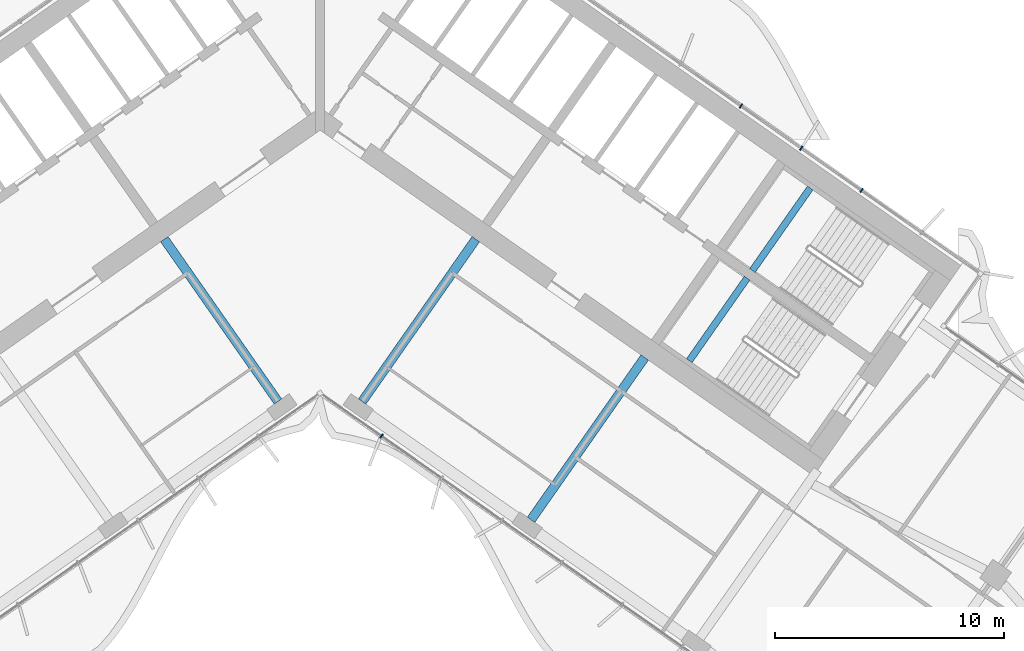
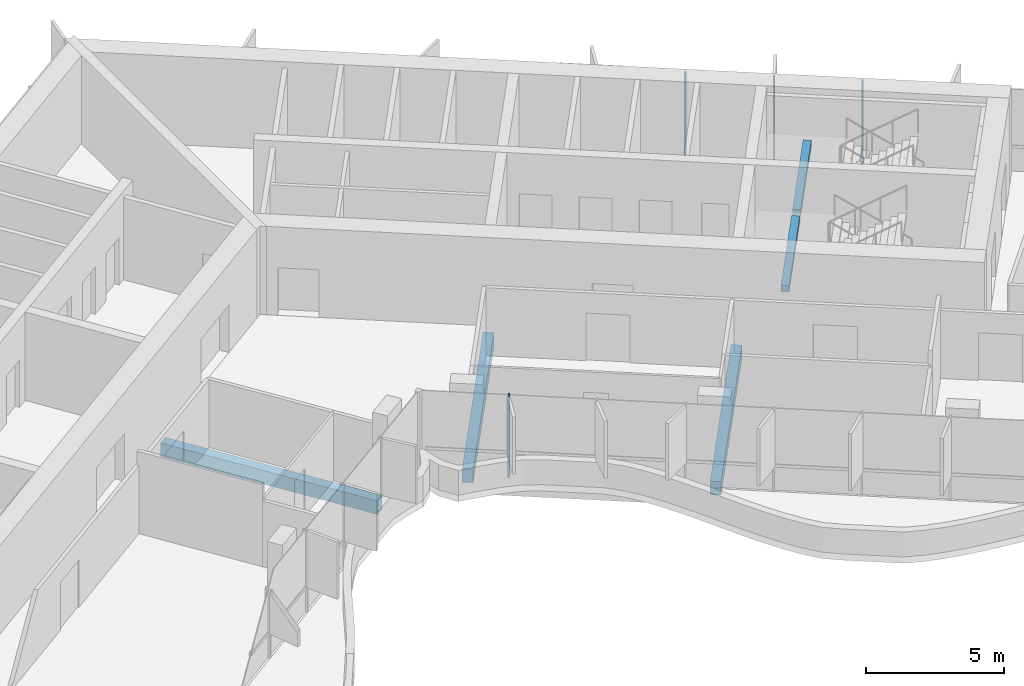
# One storey, part 7 of 23: 5 beams, 4 members, 2 elements without a shape of their own.
"""IFC4 building model written with IfcOpenShell, lengths in metres."""

import ifcopenshell
import ifcopenshell.guid

model = None  # the IFC model being written
_history = None  # IfcOwnerHistory: only IFC2X3 demands one
_inside = {}  # id of a spatial element -> (the spatial element, [elements in it])
_under = {}  # id of a project, library or spatial element -> (it, [spatial elements below it])
_declared = {}  # id of a project -> (the project, [libraries it declares])
_typed = {}  # id of a type object -> (the type object, [elements of that type])
_made_of = {}  # id of a material, layer set ... -> (it, [elements and type objects made of it])


def new_model(schema):
    """Start an empty IFC model of exactly this schema.

    Asked for "IFC4X3", IfcOpenShell would pick the latest addendum, in which some entities
    have other attributes; the version numbers below select the first issue.
    IFC2X3 requires an IfcOwnerHistory on every rooted entity: one is made here for all.
    """
    global model, _history
    if schema == "IFC4X3":
        model = ifcopenshell.file(schema_version=(4, 3, 0, 0))
    else:
        model = ifcopenshell.file(schema=schema)
    _inside.clear()
    _under.clear()
    _declared.clear()
    _typed.clear()
    _made_of.clear()
    _history = None
    if model.schema == "IFC2X3":
        org = make("IfcOrganization", Name="unknown")
        user = make(
            "IfcPersonAndOrganization",
            ThePerson=make("IfcPerson", FamilyName="unknown"),
            TheOrganization=org,
        )
        app = make(
            "IfcApplication",
            ApplicationDeveloper=org,
            Version="unknown",
            ApplicationFullName="unknown",
            ApplicationIdentifier="unknown",
        )
        _history = make(
            "IfcOwnerHistory",
            OwningUser=user,
            OwningApplication=app,
            ChangeAction="ADDED",
            CreationDate=0,
        )
    return model


def make(cls, **values):
    """One entity of the class cls with the attributes given. An attribute that is None is left unset."""
    return model.create_entity(
        cls, **{name: value for name, value in values.items() if value is not None}
    )


def rooted(cls, **values):
    """An entity with a GlobalId (a new one), such as an element, a storey or a relation."""
    return make(cls, GlobalId=ifcopenshell.guid.new(), OwnerHistory=_history, **values)


def si_unit(unit_type, name, prefix=None):
    """IfcSIUnit, for example si_unit("LENGTHUNIT", "METRE", prefix="MILLI")."""
    return make("IfcSIUnit", UnitType=unit_type, Prefix=prefix, Name=name)


def assignment(units):
    """IfcUnitAssignment: the units of a project."""
    return None if units is None else make("IfcUnitAssignment", Units=units)


def point(xyz):
    """IfcCartesianPoint."""
    return None if xyz is None else make("IfcCartesianPoint", Coordinates=xyz)


def direction(xyz):
    """IfcDirection."""
    return None if xyz is None else make("IfcDirection", DirectionRatios=xyz)


def frame(location, z_axis=None, x_axis=None):
    """IfcAxis2Placement3D, a coordinate frame: its origin and axes. An axis left out is left unset."""
    return make(
        "IfcAxis2Placement3D",
        Location=point(location),
        Axis=direction(z_axis),
        RefDirection=direction(x_axis),
    )


def frame_2d(location, x_axis=None):
    """IfcAxis2Placement2D, a coordinate frame in the plane: its origin and x axis."""
    return make(
        "IfcAxis2Placement2D", Location=point(location), RefDirection=direction(x_axis)
    )


def origin():
    """The frame at (0, 0, 0) with its axes left unset."""
    return frame((0.0, 0.0, 0.0))


def origin_2d():
    """The frame at (0, 0) in the plane with its x axis left unset."""
    return frame_2d((0.0, 0.0))


def place(relative_to, where):
    """IfcLocalPlacement: puts the frame where relative to a parent placement (None: the world)."""
    return make(
        "IfcLocalPlacement", PlacementRelTo=relative_to, RelativePlacement=where
    )


def context(
    kind, dimensions, precision=None, world=None, true_north=None, identifier=None
):
    """IfcGeometricRepresentationContext, for example the 3D "Model" context."""
    return make(
        "IfcGeometricRepresentationContext",
        ContextIdentifier=identifier,
        ContextType=kind,
        CoordinateSpaceDimension=dimensions,
        Precision=precision,
        WorldCoordinateSystem=world,
        TrueNorth=true_north,
    )


def subcontext(parent, identifier, kind, view, scale=None):
    """IfcGeometricRepresentationSubContext, for example "Body" below "Model"."""
    return make(
        "IfcGeometricRepresentationSubContext",
        ContextIdentifier=identifier,
        ContextType=kind,
        ParentContext=parent,
        TargetScale=scale,
        TargetView=view,
    )


def project(units=None, contexts=None):
    """IfcProject with its units and contexts."""
    return rooted(
        "IfcProject",
        Name="project",
        RepresentationContexts=contexts,
        UnitsInContext=assignment(units),
    )


def spatial(cls, under=None, at=None, **own):
    """A site, building, storey or space (cls), placed at a placement, below another one or the project."""
    s = rooted(cls, ObjectPlacement=at, **own)
    if under is not None:
        _under.setdefault(under.id(), (under, []))[1].append(s)
    return s


def profile(cls, at=None, kind="AREA", **sizes):
    """A parametric profile (cls). Its sizes go by their IFC names, for example OverallWidth=200.0."""
    return make(cls, ProfileType=kind, Position=at, **sizes)


def rectangle(**sizes):
    """IfcRectangleProfileDef."""
    return profile("IfcRectangleProfileDef", **sizes)


def extrude(swept, where, along, depth):
    """IfcExtrudedAreaSolid: the profile swept, set in the frame where, extruded along a direction by depth."""
    return make(
        "IfcExtrudedAreaSolid",
        SweptArea=swept,
        Position=where,
        ExtrudedDirection=direction(along),
        Depth=depth,
    )


def shape(context_of_items, identifier, shape_type, items):
    """IfcShapeRepresentation: the items that make up one representation, for example the "Body"."""
    return make(
        "IfcShapeRepresentation",
        ContextOfItems=context_of_items,
        RepresentationIdentifier=identifier,
        RepresentationType=shape_type,
        Items=items,
    )


def material(Name=None, Category=None):
    """IfcMaterial."""
    return make("IfcMaterial", Name=Name, Category=Category)


def material_profile(
    of_material, cross_section, Name=None, Category=None, Priority=None
):
    """IfcMaterialProfile: a cross section and its material."""
    return make(
        "IfcMaterialProfile",
        Name=Name,
        Material=of_material,
        Profile=cross_section,
        Priority=Priority,
        Category=Category,
    )


def profile_set(profiles, Name=None, composite=None):
    """IfcMaterialProfileSet."""
    return make(
        "IfcMaterialProfileSet",
        Name=Name,
        MaterialProfiles=profiles,
        CompositeProfile=composite,
    )


def made_of(thing, what):
    """Note that an element or type object is made of a material, layer set ...; save() writes the relation."""
    if what is not None:
        _made_of.setdefault(what.id(), (what, []))[1].append(thing)
    return thing


def type_object(cls, material=None, **own):
    """A type object (cls), such as IfcWallType, which elements share."""
    return made_of(rooted(cls, **own), material)


def element(
    cls,
    number,
    at=None,
    inside=None,
    cuts=None,
    type_object=None,
    material=None,
    context=None,
    identifier="Body",
    shape_type=None,
    held_by="IfcProductDefinitionShape",
    body=None,
    shapes=None,
    **own,
):
    """One element of the class cls, such as IfcWall. Its Tag is "e" and its number.

    at: its placement. inside: the storey or other place that contains it. cuts: it is an
    opening in that element (IfcRelVoidsElement). A single representation is given by context,
    identifier, shape_type and body (its items); several are given by shapes. held_by: the class
    of the entity that holds the representations. save() writes the other relations.
    """
    e = rooted(cls, Tag="e%d" % number, ObjectPlacement=at, **own)
    if body is not None:
        shapes = [shape(context, identifier, shape_type, body)]
    if shapes is not None:
        e.Representation = make(held_by, Representations=shapes)
    if inside is not None:
        _inside.setdefault(inside.id(), (inside, []))[1].append(e)
    if cuts is not None:
        rooted(
            "IfcRelVoidsElement", RelatingBuildingElement=cuts, RelatedOpeningElement=e
        )
    if type_object is not None:
        _typed.setdefault(type_object.id(), (type_object, []))[1].append(e)
    return made_of(e, material)


def aggregate(whole, parts):
    """IfcRelAggregates: a whole, such as a stair, and the parts it consists of."""
    return rooted("IfcRelAggregates", RelatingObject=whole, RelatedObjects=parts)


def save(model, path):
    """Write the relations noted so far, then the file.

    IfcRelAggregates (storeys below a building ...), IfcRelContainedInSpatialStructure (elements
    in a storey), IfcRelDefinesByType, IfcRelAssociatesMaterial and IfcRelDeclares: one each for
    every whole, place, type object, material and project.
    """
    for whole, parts in _under.values():
        aggregate(whole, parts)
    for where, things in _inside.values():
        rooted(
            "IfcRelContainedInSpatialStructure",
            RelatedElements=things,
            RelatingStructure=where,
        )
    for kind, things in _typed.values():
        rooted("IfcRelDefinesByType", RelatedObjects=things, RelatingType=kind)
    for what, things in _made_of.values():
        rooted("IfcRelAssociatesMaterial", RelatedObjects=things, RelatingMaterial=what)
    for by, libraries in _declared.values():
        rooted("IfcRelDeclares", RelatingContext=by, RelatedDefinitions=libraries)
    model.write(path)


model = new_model("IFC4")

# Units and contexts
model_context = context("Model", 3, precision=1e-05, world=origin(), true_north=direction((0.0, 1.0)))
body_context = subcontext(model_context, "Body", "Model", "MODEL_VIEW")
ifc_project = project(units=[si_unit("LENGTHUNIT", "METRE"), si_unit("AREAUNIT", "SQUARE_METRE"), si_unit("VOLUMEUNIT", "CUBIC_METRE"), si_unit("PLANEANGLEUNIT", "RADIAN"), si_unit("MASSUNIT", "GRAM", prefix="KILO")], contexts=[model_context])

# Site, building, storey
site_placement = place(None, origin())
site = spatial("IfcSite", under=ifc_project, at=site_placement, CompositionType="ELEMENT")
building_placement = place(site_placement, origin())
building = spatial("IfcBuilding", under=site, at=building_placement, Name="Tel Ilan Convention Tower", CompositionType="ELEMENT")
storey_placement = place(building_placement, frame((0.0, 0.0, 178.800048828125)))
storey = spatial("IfcBuildingStorey", under=building, at=storey_placement, Name="L41", CompositionType="ELEMENT", Elevation=178.800048828125)

# Beams
ifc_material_1 = material(Name="Concrete C40/50", Category="concrete")
ifc_material_profile_1 = material_profile(ifc_material_1, rectangle(XDim=0.39990234375, YDim=0.60009765625, at=origin_2d()), Name="RC 400x600")
ifc_profile_set_1 = profile_set([ifc_material_profile_1], Name="Concrete C40/50")
beam_type_1 = type_object("IfcBeamType", Name="Beam RC 400x600 Concrete C40/50", PredefinedType="BEAM", material=ifc_profile_set_1)
for number, where, z_axis, x_axis, name in (
    (1, (-1.83740234375, -13.06689453125, -0.580078125), (-0.573574099654, 0.819153680457, 0.0), (-0.819153680457, -0.573574099654, 0.0), "L41 beam W-W-F1-core"),
    (2, (1.83740234375, -13.06689453125, -0.580078125), (0.573574099654, 0.819153680457, 0.0), (-0.819153680457, 0.573574099654, 0.0), "L41 beam E-E-F1-core"),
    (3, (9.209716796875, -18.229248046875, -0.580078125), (0.573574099654, 0.819153680457, 0.0), (-0.819153680457, 0.573574099654, 0.0), "L41 beam E-E-F2-core"),
):
    element("IfcBeam", number, at=place(storey_placement, frame(where, z_axis=z_axis, x_axis=x_axis)), inside=storey, type_object=beam_type_1, Name=name, PredefinedType="BEAM", context=body_context, shape_type="SweptSolid", body=[
        extrude(rectangle(XDim=0.39990234375, YDim=0.60009765625, at=origin_2d()), origin(), (0.0, 0.0, 1.0), 8.64990234375),
    ])

# Curtain wall, members
ifc_material_2 = material(Name="Aluminium, bronze anodised", Category="aluminium")
curtain_wall_type_1 = type_object("IfcCurtainWallType", Name="CW2 STICK CURTAIN WALL, SPANDREL PANELS", PredefinedType="NOTDEFINED", material=ifc_material_2)
curtain_wall_1_placement = place(storey_placement, origin())
curtain_wall_1 = element("IfcCurtainWall", 4, at=curtain_wall_1_placement, inside=storey, type_object=curtain_wall_type_1, Name="Curtain wall CW2-31.01", PredefinedType="NOTDEFINED")
ifc_material_3 = material(Name="Aluminium, bronze anodised", Category="aluminium")
ifc_material_profile_2 = material_profile(ifc_material_3, rectangle(XDim=0.06005859375, YDim=0.199951171875, at=origin_2d()), Name="CW MULLION 60x200")
ifc_profile_set_2 = profile_set([ifc_material_profile_2], Name="Aluminium, bronze anodised")
member_type = type_object("IfcMemberType", Name="CW MULLION 60x200", PredefinedType="MULLION", material=ifc_profile_set_2)
member_1_placement = place(storey_placement, frame((23.63623046875, -3.854248046875, 0.0), z_axis=(0.0, 0.0, 1.0), x_axis=(-0.819152044289, 0.573576436351, 0.0)))
member_1 = element("IfcMember", 5, at=member_1_placement, type_object=member_type, Name="Mullion", PredefinedType="MULLION", context=body_context, shape_type="SweptSolid", body=[
    extrude(rectangle(XDim=0.06005859375, YDim=0.199951171875, at=origin_2d()), origin(), (0.0, 0.0, 1.0), 3.619873046875),
])
member_2_placement = place(storey_placement, frame((21.003662109375, -2.0107421875, 0.0), z_axis=(0.0, 0.0, 1.0), x_axis=(-0.819152044289, 0.573576436351, 0.0)))
member_2 = element("IfcMember", 6, at=member_2_placement, type_object=member_type, Name="Mullion", PredefinedType="MULLION", context=body_context, shape_type="SweptSolid", body=[
    extrude(rectangle(XDim=0.06005859375, YDim=0.199951171875, at=origin_2d()), origin(), (0.0, 0.0, 1.0), 3.619873046875),
])
member_3_placement = place(storey_placement, frame((18.37109375, -0.16748046875, 0.0), z_axis=(0.0, 0.0, 1.0), x_axis=(-0.819152044289, 0.573576436351, 0.0)))
member_3 = element("IfcMember", 7, at=member_3_placement, type_object=member_type, Name="Mullion", PredefinedType="MULLION", context=body_context, shape_type="SweptSolid", body=[
    extrude(rectangle(XDim=0.06005859375, YDim=0.199951171875, at=origin_2d()), origin(), (0.0, 0.0, 1.0), 3.619873046875),
])
aggregate(curtain_wall_1, [member_1, member_2, member_3])

# Curtain wall, member
ifc_material_4 = material(Name="Aluminium, bronze anodised", Category="aluminium")
curtain_wall_type_2 = type_object("IfcCurtainWallType", Name="CW4 STICK CURTAIN WALL, OFFICE TINTED GLASS", PredefinedType="NOTDEFINED", material=ifc_material_4)
curtain_wall_2_placement = place(storey_placement, origin())
curtain_wall_2 = element("IfcCurtainWall", 8, at=curtain_wall_2_placement, inside=storey, type_object=curtain_wall_type_2, Name="Curtain wall CW4-31.02", PredefinedType="NOTDEFINED")
member_4_placement = place(storey_placement, frame((2.6826171875, -14.574462890625, 0.0), z_axis=(0.0, 0.0, 1.0), x_axis=(0.819152044289, -0.573576436351, 0.0)))
member_4 = element("IfcMember", 9, at=member_4_placement, type_object=member_type, Name="Mullion", PredefinedType="MULLION", context=body_context, shape_type="SweptSolid", body=[
    extrude(rectangle(XDim=0.06005859375, YDim=0.199951171875, at=origin_2d()), origin(), (0.0, 0.0, 1.0), 3.619873046875),
])
aggregate(curtain_wall_2, [member_4])

# Beams
ifc_material_5 = material(Name="Concrete C40/50", Category="concrete")
ifc_material_profile_3 = material_profile(ifc_material_5, rectangle(XDim=0.300048828125, YDim=0.300048828125, at=origin_2d()), Name="RC 300x300")
ifc_profile_set_3 = profile_set([ifc_material_profile_3], Name="Concrete C40/50")
beam_type_2 = type_object("IfcBeamType", Name="Landing Beam RC 300x300 Concrete C40/50", PredefinedType="BEAM", material=ifc_profile_set_3)
beam_1_placement = place(storey_placement, frame((21.39404296875, -3.7490234375, 1.599853515625), z_axis=(-0.57354426506, -0.819174569928, 0.0), x_axis=(0.819174569928, -0.57354426506, 0.0)))
element("IfcBeam", 10, at=beam_1_placement, inside=storey, type_object=beam_type_2, Name="S3 landing beam L41.1", PredefinedType="BEAM", context=body_context, shape_type="SweptSolid", body=[
    extrude(rectangle(XDim=0.300048828125, YDim=0.300048828125, at=origin_2d()), origin(), (0.0, 0.0, 1.0), 4.400146484375),
])
beam_2_placement = place(storey_placement, frame((18.640869140625, -7.68115234375, 1.599853515625), z_axis=(-0.573570334442, -0.819156316858, 0.0), x_axis=(0.819156316858, -0.573570334442, 0.0)))
element("IfcBeam", 11, at=beam_2_placement, inside=storey, type_object=beam_type_2, Name="S4 landing beam L41.1", PredefinedType="BEAM", context=body_context, shape_type="SweptSolid", body=[
    extrude(rectangle(XDim=0.300048828125, YDim=0.300048828125, at=origin_2d()), origin(), (0.0, 0.0, 1.0), 4.39990234375),
])

save(model, "model.ifc")
